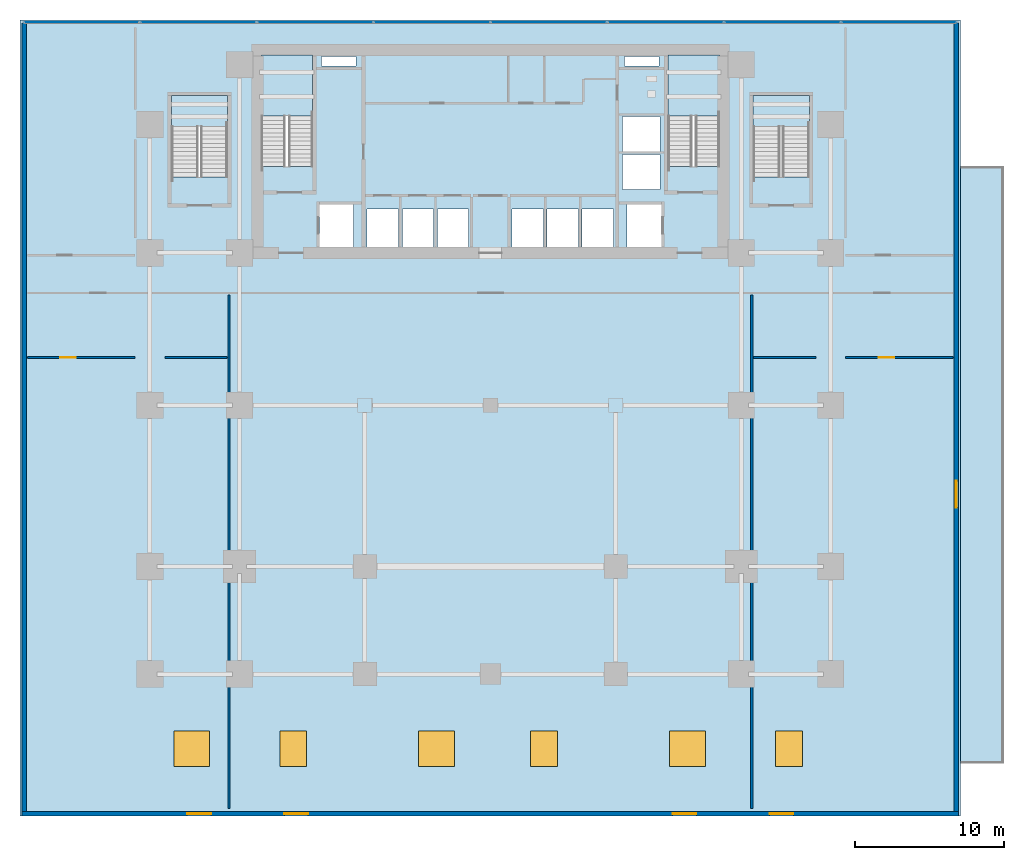
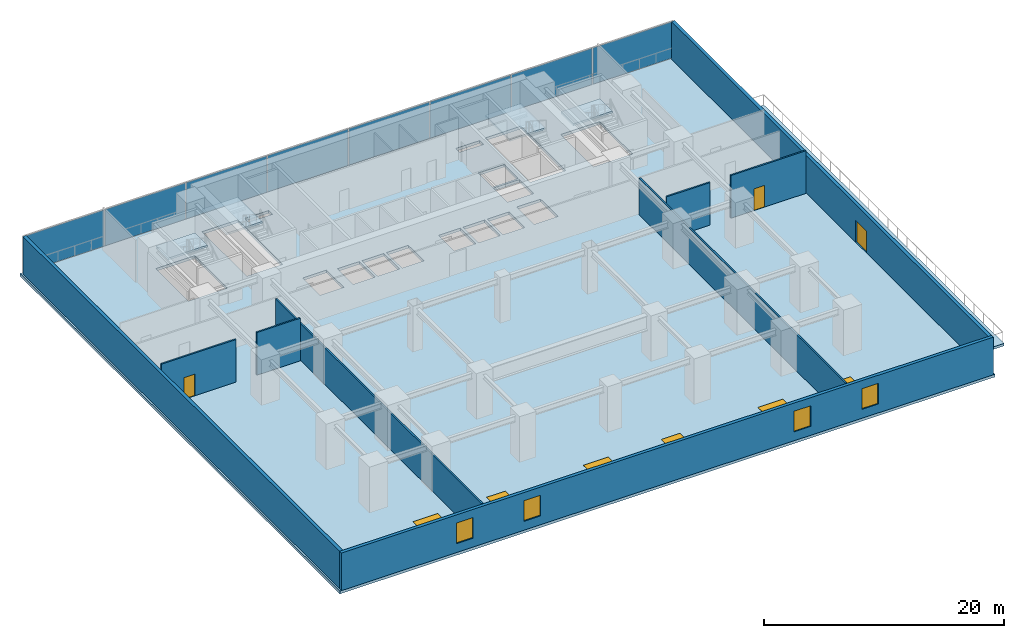
# One storey, part 7 of 15: 10 windows, 9 walls, 8 plates, 6 slabs, 3 doors, 13 openings, 5 elements without a shape of their own.
"""IFC4 building model written with IfcOpenShell, lengths in metres."""

from ifc_helpers import new_model, si_unit, direction, frame, frame_2d, origin, origin_2d, place, context, subcontext, project, spatial, polyline, rectangle, outline, extrude, source, transform, mapped, material, layer, layer_set, type_object, element, fill, aggregate, save


model = new_model("IFC4")

# Units and contexts
model_context = context("Model", 3, precision=1e-05, world=origin(), true_north=direction((0.0, 1.0)))
body_context = subcontext(model_context, "Body", "Model", "MODEL_VIEW")
ifc_project = project(units=[si_unit("LENGTHUNIT", "METRE"), si_unit("AREAUNIT", "SQUARE_METRE"), si_unit("VOLUMEUNIT", "CUBIC_METRE"), si_unit("PLANEANGLEUNIT", "RADIAN"), si_unit("MASSUNIT", "GRAM", prefix="KILO")], contexts=[model_context])

# Site, building, storey
site_placement = place(None, origin())
site = spatial("IfcSite", under=ifc_project, at=site_placement, CompositionType="ELEMENT")
building_placement = place(site_placement, origin())
building = spatial("IfcBuilding", under=site, at=building_placement, Name="Sumidabori Civic Tower", CompositionType="ELEMENT")
storey_placement = place(building_placement, frame((0.0, 0.0, 14.300048828125)))
storey = spatial("IfcBuildingStorey", under=building, at=storey_placement, Name="L03", CompositionType="ELEMENT", Elevation=14.300048828125)

# Stair, slab
ifc_material_1 = material(Name="Concrete C40/50", Category="concrete")
stair_type_1 = type_object("IfcStairType", Name="ST-CORE-1600", PredefinedType="HALF_TURN_STAIR", material=ifc_material_1)
stair_1_placement = place(storey_placement, origin())
stair_1 = element("IfcStair", 1, at=stair_1_placement, inside=storey, type_object=stair_type_1, Name="L03 ST-1", PredefinedType="HALF_TURN_STAIR")
ifc_layer_1 = layer(ifc_material_1, 0.199951171875, Name="Concrete C40/50")
ifc_layer_set_1 = layer_set([ifc_layer_1], Name="Concrete C40/50")
slab_type_1 = type_object("IfcSlabType", Name="SL-LAND-200", PredefinedType="LANDING", material=ifc_layer_set_1)
slab_1_placement = place(storey_placement, frame((0.0, 0.0, 2.125)))
slab_1 = element("IfcSlab", 2, at=slab_1_placement, type_object=slab_type_1, Name="ST-1 landing 1", PredefinedType="LANDING", context=body_context, shape_type="SweptSolid", body=[
    extrude(outline(polyline([(-11.89990234375, 19.360107421875), (-11.89990234375, 23.449951171875), (-15.340087890625, 23.449951171875), (-15.340087890625, 19.360107421875), (-11.89990234375, 19.360107421875)])), origin(), (0.0, 0.0, 1.0), 0.199951171875),
])
aggregate(stair_1, [slab_1])

stair_2_placement = place(storey_placement, origin())
stair_2 = element("IfcStair", 3, at=stair_2_placement, inside=storey, type_object=stair_type_1, Name="L03 ST-2", PredefinedType="HALF_TURN_STAIR")
slab_2_placement = place(storey_placement, frame((0.0, 0.0, 2.125)))
slab_2 = element("IfcSlab", 4, at=slab_2_placement, type_object=slab_type_1, Name="ST-2 landing 1", PredefinedType="LANDING", context=body_context, shape_type="SweptSolid", body=[
    extrude(outline(polyline([(15.340087890625, 19.360107421875), (15.340087890625, 23.449951171875), (11.89990234375, 23.449951171875), (11.89990234375, 19.360107421875), (15.340087890625, 19.360107421875)])), origin(), (0.0, 0.0, 1.0), 0.199951171875),
])
aggregate(stair_2, [slab_2])

stair_type_2 = type_object("IfcStairType", Name="ST-POD-1800", PredefinedType="HALF_TURN_STAIR", material=ifc_material_1)
stair_3_placement = place(storey_placement, origin())
stair_3 = element("IfcStair", 5, at=stair_3_placement, inside=storey, type_object=stair_type_2, Name="L03 ST-3", PredefinedType="HALF_TURN_STAIR")
slab_3_placement = place(storey_placement, frame((0.0, 0.0, 2.125)))
slab_3 = element("IfcSlab", 6, at=slab_3_placement, type_object=slab_type_1, Name="ST-3 landing 1", PredefinedType="LANDING", context=body_context, shape_type="SweptSolid", body=[
    extrude(outline(polyline([(-17.60009765625, 18.659912109375), (-17.60009765625, 20.739990234375), (-21.360107421875, 20.739990234375), (-21.360107421875, 18.659912109375), (-17.60009765625, 18.659912109375)])), origin(), (0.0, 0.0, 1.0), 0.199951171875),
])
aggregate(stair_3, [slab_3])

stair_4_placement = place(storey_placement, origin())
stair_4 = element("IfcStair", 7, at=stair_4_placement, inside=storey, type_object=stair_type_2, Name="L03 ST-4", PredefinedType="HALF_TURN_STAIR")
slab_4_placement = place(storey_placement, frame((0.0, 0.0, 2.125)))
slab_4 = element("IfcSlab", 8, at=slab_4_placement, type_object=slab_type_1, Name="ST-4 landing 1", PredefinedType="LANDING", context=body_context, shape_type="SweptSolid", body=[
    extrude(outline(polyline([(21.360107421875, 18.659912109375), (21.360107421875, 20.739990234375), (17.60009765625, 20.739990234375), (17.60009765625, 18.659912109375), (21.360107421875, 18.659912109375)])), origin(), (0.0, 0.0, 1.0), 0.199951171875),
])
aggregate(stair_4, [slab_4])

# Slab, openings, windows
ifc_layer_2 = layer(ifc_material_1, 0.280029296875, Name="Concrete C40/50")
ifc_layer_set_2 = layer_set([ifc_layer_2], Name="Concrete C40/50")
slab_type_2 = type_object("IfcSlabType", Name="SL-POD-280", PredefinedType="FLOOR", material=ifc_layer_set_2)
slab_5_placement = place(storey_placement, frame((0.0, 0.0, -0.280029296875)))
slab_5 = element("IfcSlab", 9, at=slab_5_placement, inside=storey, type_object=slab_type_2, Name="Structural Slab L03", PredefinedType="FLOOR", context=body_context, shape_type="SweptSolid", body=[
    extrude(outline(polyline([(-31.5, -27.5), (31.5, -27.5), (31.5, 25.800048828125), (-31.5, 25.800048828125), (-31.5, -27.5)]), holes=[polyline([(-11.89990234375, 16.0), (-11.89990234375, 23.449951171875), (-15.340087890625, 23.449951171875), (-15.340087890625, 16.0), (-11.89990234375, 16.0)]), polyline([(15.340087890625, 16.0), (15.340087890625, 23.449951171875), (11.89990234375, 23.449951171875), (11.89990234375, 16.0), (15.340087890625, 16.0)]), polyline([(-17.60009765625, 15.300048828125), (-17.60009765625, 20.739990234375), (-21.360107421875, 20.739990234375), (-21.360107421875, 15.300048828125), (-17.60009765625, 15.300048828125)]), polyline([(21.360107421875, 15.300048828125), (21.360107421875, 20.739990234375), (17.60009765625, 20.739990234375), (17.60009765625, 15.300048828125), (21.360107421875, 15.300048828125)]), polyline([(-11.449951171875, 10.550048828125), (-9.14990234375, 10.550048828125), (-9.14990234375, 13.449951171875), (-11.449951171875, 13.449951171875), (-11.449951171875, 10.550048828125)]), polyline([(9.14990234375, 10.550048828125), (11.449951171875, 10.550048828125), (11.449951171875, 13.449951171875), (9.14990234375, 13.449951171875), (9.14990234375, 10.550048828125)]), polyline([(-8.25, 10.550048828125), (-6.14990234375, 10.550048828125), (-6.14990234375, 13.14990234375), (-8.25, 13.14990234375), (-8.25, 10.550048828125)]), polyline([(-5.89990234375, 10.550048828125), (-3.800048828125, 10.550048828125), (-3.800048828125, 13.14990234375), (-5.89990234375, 13.14990234375), (-5.89990234375, 10.550048828125)]), polyline([(-3.550048828125, 10.550048828125), (-1.449951171875, 10.550048828125), (-1.449951171875, 13.14990234375), (-3.550048828125, 13.14990234375), (-3.550048828125, 10.550048828125)]), polyline([(1.449951171875, 10.550048828125), (3.550048828125, 10.550048828125), (3.550048828125, 13.14990234375), (1.449951171875, 13.14990234375), (1.449951171875, 10.550048828125)]), polyline([(3.800048828125, 10.550048828125), (5.89990234375, 10.550048828125), (5.89990234375, 13.14990234375), (3.800048828125, 13.14990234375), (3.800048828125, 10.550048828125)]), polyline([(6.14990234375, 10.550048828125), (8.25, 10.550048828125), (8.25, 13.14990234375), (6.14990234375, 13.14990234375), (6.14990234375, 10.550048828125)]), polyline([(8.85009765625, 14.449951171875), (11.35009765625, 14.449951171875), (11.35009765625, 16.800048828125), (8.85009765625, 16.800048828125), (8.85009765625, 14.449951171875)]), polyline([(8.85009765625, 17.0), (11.35009765625, 17.0), (11.35009765625, 19.35009765625), (8.85009765625, 19.35009765625), (8.85009765625, 17.0)]), polyline([(-11.300048828125, 22.719970703125), (-9.0, 22.719970703125), (-9.0, 23.35009765625), (-11.300048828125, 23.35009765625), (-11.300048828125, 22.719970703125)]), polyline([(9.0, 22.719970703125), (11.300048828125, 22.719970703125), (11.300048828125, 23.35009765625), (9.0, 23.35009765625), (9.0, 22.719970703125)])]), origin(), (0.0, 0.0, 1.0), 0.280029296875),
])
opening_1_placement = place(slab_5_placement, frame((-20.0, -23.0, -0.011962890625)))
opening_1 = element("IfcOpeningElement", 10, at=opening_1_placement, cuts=slab_5, Name="Opening SK-1", PredefinedType="OPENING", context=body_context, shape_type="SweptSolid", body=[
    extrude(rectangle(XDim=2.39990234375, YDim=2.39990234375, at=origin_2d()), origin(), (0.0, 0.0, 1.0), 0.303955078125),
])
opening_2_placement = place(slab_5_placement, frame((-13.199951171875, -23.0, -0.011962890625)))
opening_2 = element("IfcOpeningElement", 11, at=opening_2_placement, cuts=slab_5, Name="Opening SK-2", PredefinedType="OPENING", context=body_context, shape_type="SweptSolid", body=[
    extrude(rectangle(XDim=1.800048828125, YDim=2.39990234375, at=origin_2d()), origin(), (0.0, 0.0, 1.0), 0.303955078125),
])
opening_3_placement = place(slab_5_placement, frame((-3.60009765625, -23.0, -0.011962890625)))
opening_3 = element("IfcOpeningElement", 12, at=opening_3_placement, cuts=slab_5, Name="Opening SK-1", PredefinedType="OPENING", context=body_context, shape_type="SweptSolid", body=[
    extrude(rectangle(XDim=2.39990234375, YDim=2.39990234375, at=origin_2d()), origin(), (0.0, 0.0, 1.0), 0.303955078125),
])
opening_4_placement = place(slab_5_placement, frame((3.60009765625, -23.0, -0.011962890625)))
opening_4 = element("IfcOpeningElement", 13, at=opening_4_placement, cuts=slab_5, Name="Opening SK-2", PredefinedType="OPENING", context=body_context, shape_type="SweptSolid", body=[
    extrude(rectangle(XDim=1.800048828125, YDim=2.39990234375, at=origin_2d()), origin(), (0.0, 0.0, 1.0), 0.303955078125),
])
opening_5_placement = place(slab_5_placement, frame((13.199951171875, -23.0, -0.011962890625)))
opening_5 = element("IfcOpeningElement", 14, at=opening_5_placement, cuts=slab_5, Name="Opening SK-1", PredefinedType="OPENING", context=body_context, shape_type="SweptSolid", body=[
    extrude(rectangle(XDim=2.39990234375, YDim=2.39990234375, at=origin_2d()), origin(), (0.0, 0.0, 1.0), 0.303955078125),
])
opening_6_placement = place(slab_5_placement, frame((20.0, -23.0, -0.011962890625)))
opening_6 = element("IfcOpeningElement", 15, at=opening_6_placement, cuts=slab_5, Name="Opening SK-2", PredefinedType="OPENING", context=body_context, shape_type="SweptSolid", body=[
    extrude(rectangle(XDim=1.800048828125, YDim=2.39990234375, at=origin_2d()), origin(), (0.0, 0.0, 1.0), 0.303955078125),
])
ifc_material_2 = material(Name="Low-E Vision Double Glazing", Category="glass")
window_type_1 = type_object("IfcWindowType", Name="WN-SKY-1800", PartitioningType="SINGLE_PANEL", PredefinedType="SKYLIGHT", material=ifc_material_2)
window_1_placement = place(opening_2_placement, frame((0.0, 0.0, 0.241943359375)))
window_1 = element("IfcWindow", 16, at=window_1_placement, inside=storey, type_object=window_type_1, Name="Podium Roof Skylight SK-2", OverallHeight=2.39990234375, OverallWidth=1.800048828125, PartitioningType="SINGLE_PANEL", PredefinedType="SKYLIGHT", context=body_context, shape_type="SweptSolid", body=[
    extrude(rectangle(XDim=1.800048828125, YDim=2.39990234375, at=origin_2d()), origin(), (0.0, 0.0, 1.0), 0.050048828125),
])
fill(opening_2, window_1)
window_2_placement = place(opening_4_placement, frame((0.0, 0.0, 0.241943359375)))
window_2 = element("IfcWindow", 17, at=window_2_placement, inside=storey, type_object=window_type_1, Name="Podium Roof Skylight SK-4", OverallHeight=2.39990234375, OverallWidth=1.800048828125, PartitioningType="SINGLE_PANEL", PredefinedType="SKYLIGHT", context=body_context, shape_type="SweptSolid", body=[
    extrude(rectangle(XDim=1.800048828125, YDim=2.39990234375, at=origin_2d()), origin(), (0.0, 0.0, 1.0), 0.050048828125),
])
fill(opening_4, window_2)
window_3_placement = place(opening_6_placement, frame((0.0, 0.0, 0.241943359375)))
window_3 = element("IfcWindow", 18, at=window_3_placement, inside=storey, type_object=window_type_1, Name="Podium Roof Skylight SK-6", OverallHeight=2.39990234375, OverallWidth=1.800048828125, PartitioningType="SINGLE_PANEL", PredefinedType="SKYLIGHT", context=body_context, shape_type="SweptSolid", body=[
    extrude(rectangle(XDim=1.800048828125, YDim=2.39990234375, at=origin_2d()), origin(), (0.0, 0.0, 1.0), 0.050048828125),
])
fill(opening_6, window_3)
window_type_2 = type_object("IfcWindowType", Name="WN-SKY-2400", PartitioningType="SINGLE_PANEL", PredefinedType="SKYLIGHT", material=ifc_material_2)
window_4_placement = place(opening_1_placement, frame((0.0, 0.0, 0.241943359375)))
window_4 = element("IfcWindow", 19, at=window_4_placement, inside=storey, type_object=window_type_2, Name="Podium Roof Skylight SK-1", OverallHeight=2.39990234375, OverallWidth=2.39990234375, PartitioningType="SINGLE_PANEL", PredefinedType="SKYLIGHT", context=body_context, shape_type="SweptSolid", body=[
    extrude(rectangle(XDim=2.39990234375, YDim=2.39990234375, at=origin_2d()), origin(), (0.0, 0.0, 1.0), 0.050048828125),
])
fill(opening_1, window_4)
window_5_placement = place(opening_3_placement, frame((0.0, 0.0, 0.241943359375)))
window_5 = element("IfcWindow", 20, at=window_5_placement, inside=storey, type_object=window_type_2, Name="Podium Roof Skylight SK-3", OverallHeight=2.39990234375, OverallWidth=2.39990234375, PartitioningType="SINGLE_PANEL", PredefinedType="SKYLIGHT", context=body_context, shape_type="SweptSolid", body=[
    extrude(rectangle(XDim=2.39990234375, YDim=2.39990234375, at=origin_2d()), origin(), (0.0, 0.0, 1.0), 0.050048828125),
])
fill(opening_3, window_5)
window_6_placement = place(opening_5_placement, frame((0.0, 0.0, 0.241943359375)))
window_6 = element("IfcWindow", 21, at=window_6_placement, inside=storey, type_object=window_type_2, Name="Podium Roof Skylight SK-5", OverallHeight=2.39990234375, OverallWidth=2.39990234375, PartitioningType="SINGLE_PANEL", PredefinedType="SKYLIGHT", context=body_context, shape_type="SweptSolid", body=[
    extrude(rectangle(XDim=2.39990234375, YDim=2.39990234375, at=origin_2d()), origin(), (0.0, 0.0, 1.0), 0.050048828125),
])
fill(opening_5, window_6)

# Slab
ifc_layer_3 = layer(ifc_material_1, 0.25, Name="Concrete C40/50")
ifc_layer_set_3 = layer_set([ifc_layer_3], Name="Concrete C40/50")
slab_type_3 = type_object("IfcSlabType", Name="SL-TER-250", PredefinedType="FLOOR", material=ifc_layer_set_3)
slab_6_placement = place(storey_placement, frame((0.0, 0.0, -0.25)))
element("IfcSlab", 22, at=slab_6_placement, inside=storey, type_object=slab_type_3, Name="Planted Podium Roof Terrace TER-L03-E", PredefinedType="FLOOR", context=body_context, shape_type="SweptSolid", body=[
    extrude(outline(polyline([(31.5, -24.0), (34.39990234375, -24.0), (34.39990234375, 16.0), (31.5, 16.0), (31.5, -24.0)])), origin(), (0.0, 0.0, 1.0), 0.25),
])

# Curtain wall, plates
ifc_material_3 = material(Name="Anodised Bronze Aluminium AW-6063-T6", Category="aluminium")
ifc_layer_4 = layer(ifc_material_3, 0.179931640625, Name="Anodised Bronze Aluminium AW-6063-T6")
ifc_layer_set_4 = layer_set([ifc_layer_4], Name="Anodised Bronze Aluminium AW-6063-T6")
curtain_wall_type = type_object("IfcCurtainWallType", Name="CW-SYS-1", PredefinedType="NOTDEFINED", material=ifc_layer_set_4)
curtain_wall_placement = place(storey_placement, origin())
curtain_wall = element("IfcCurtainWall", 23, at=curtain_wall_placement, inside=storey, type_object=curtain_wall_type, Name="Curtain Wall CW:L03:NORTH", PredefinedType="NOTDEFINED")
ifc_layer_5 = layer(ifc_material_2, 0.031982421875, Name="Low-E Vision Double Glazing")
ifc_layer_set_5 = layer_set([ifc_layer_5], Name="Low-E Vision Double Glazing")
plate_type = type_object("IfcPlateType", Name="CW-PNL-32", PredefinedType="CURTAIN_PANEL", material=ifc_layer_set_5)
shared_shape_1 = source(origin(), body_context, "Body", "SweptSolid", [
    extrude(rectangle(XDim=7.719970703125, YDim=0.031982421875, at=origin_2d()), origin(), (0.0, 0.0, 1.0), 3.699951171875),
])
plate_1_placement = place(storey_placement, frame((-27.3701171875, 25.64990234375, 0.06494140625), z_axis=(0.0, 0.0, 1.0), x_axis=(1.0, 0.0, 0.0)))
plate_1 = element("IfcPlate", 24, at=plate_1_placement, type_object=plate_type, Name="CW-1 panel 1.1", PredefinedType="CURTAIN_PANEL", context=body_context, shape_type="MappedRepresentation", body=[
    mapped(shared_shape_1, transform((0.0, 0.0, 0.0), x_axis=(1.0, 0.0, 0.0), y_axis=(0.0, 1.0, 0.0), z_axis=(0.0, 0.0, 1.0), scale=1.0)),
])
plate_2_placement = place(storey_placement, frame((27.3701171875, 25.64990234375, 0.06494140625), z_axis=(0.0, 0.0, 1.0), x_axis=(1.0, 0.0, 0.0)))
plate_2 = element("IfcPlate", 25, at=plate_2_placement, type_object=plate_type, Name="CW-1 panel 8.1", PredefinedType="CURTAIN_PANEL", context=body_context, shape_type="MappedRepresentation", body=[
    mapped(shared_shape_1, transform((0.0, 0.0, 0.0), x_axis=(1.0, 0.0, 0.0), y_axis=(0.0, 1.0, 0.0), z_axis=(0.0, 0.0, 1.0), scale=1.0)),
])
shared_shape_2 = source(origin(), body_context, "Body", "SweptSolid", [
    extrude(rectangle(XDim=7.7548828125, YDim=0.031982421875, at=origin_2d()), origin(), (0.0, 0.0, 1.0), 3.699951171875),
])
plate_3_placement = place(storey_placement, frame((-19.5625, 25.64990234375, 0.06494140625), z_axis=(0.0, 0.0, 1.0), x_axis=(1.0, 0.0, 0.0)))
plate_3 = element("IfcPlate", 26, at=plate_3_placement, type_object=plate_type, Name="CW-1 panel 2.1", PredefinedType="CURTAIN_PANEL", context=body_context, shape_type="MappedRepresentation", body=[
    mapped(shared_shape_2, transform((0.0, 0.0, 0.0), x_axis=(1.0, 0.0, 0.0), y_axis=(0.0, 1.0, 0.0), z_axis=(0.0, 0.0, 1.0), scale=1.0)),
])
plate_4_placement = place(storey_placement, frame((-11.737548828125, 25.64990234375, 0.06494140625), z_axis=(0.0, 0.0, 1.0), x_axis=(1.0, 0.0, 0.0)))
plate_4 = element("IfcPlate", 27, at=plate_4_placement, type_object=plate_type, Name="CW-1 panel 3.1", PredefinedType="CURTAIN_PANEL", context=body_context, shape_type="MappedRepresentation", body=[
    mapped(shared_shape_2, transform((0.0, 0.0, 0.0), x_axis=(1.0, 0.0, 0.0), y_axis=(0.0, 1.0, 0.0), z_axis=(0.0, 0.0, 1.0), scale=1.0)),
])
plate_5_placement = place(storey_placement, frame((-3.91259765625, 25.64990234375, 0.06494140625), z_axis=(0.0, 0.0, 1.0), x_axis=(1.0, 0.0, 0.0)))
plate_5 = element("IfcPlate", 28, at=plate_5_placement, type_object=plate_type, Name="CW-1 panel 4.1", PredefinedType="CURTAIN_PANEL", context=body_context, shape_type="MappedRepresentation", body=[
    mapped(shared_shape_2, transform((0.0, 0.0, 0.0), x_axis=(1.0, 0.0, 0.0), y_axis=(0.0, 1.0, 0.0), z_axis=(0.0, 0.0, 1.0), scale=1.0)),
])
plate_6_placement = place(storey_placement, frame((3.91259765625, 25.64990234375, 0.06494140625), z_axis=(0.0, 0.0, 1.0), x_axis=(1.0, 0.0, 0.0)))
plate_6 = element("IfcPlate", 29, at=plate_6_placement, type_object=plate_type, Name="CW-1 panel 5.1", PredefinedType="CURTAIN_PANEL", context=body_context, shape_type="MappedRepresentation", body=[
    mapped(shared_shape_2, transform((0.0, 0.0, 0.0), x_axis=(1.0, 0.0, 0.0), y_axis=(0.0, 1.0, 0.0), z_axis=(0.0, 0.0, 1.0), scale=1.0)),
])
plate_7_placement = place(storey_placement, frame((11.737548828125, 25.64990234375, 0.06494140625), z_axis=(0.0, 0.0, 1.0), x_axis=(1.0, 0.0, 0.0)))
plate_7 = element("IfcPlate", 30, at=plate_7_placement, type_object=plate_type, Name="CW-1 panel 6.1", PredefinedType="CURTAIN_PANEL", context=body_context, shape_type="MappedRepresentation", body=[
    mapped(shared_shape_2, transform((0.0, 0.0, 0.0), x_axis=(1.0, 0.0, 0.0), y_axis=(0.0, 1.0, 0.0), z_axis=(0.0, 0.0, 1.0), scale=1.0)),
])
plate_8_placement = place(storey_placement, frame((19.5625, 25.64990234375, 0.06494140625), z_axis=(0.0, 0.0, 1.0), x_axis=(1.0, 0.0, 0.0)))
plate_8 = element("IfcPlate", 31, at=plate_8_placement, type_object=plate_type, Name="CW-1 panel 7.1", PredefinedType="CURTAIN_PANEL", context=body_context, shape_type="MappedRepresentation", body=[
    mapped(shared_shape_2, transform((0.0, 0.0, 0.0), x_axis=(1.0, 0.0, 0.0), y_axis=(0.0, 1.0, 0.0), z_axis=(0.0, 0.0, 1.0), scale=1.0)),
])
aggregate(curtain_wall, [plate_1, plate_3, plate_4, plate_5, plate_6, plate_7, plate_8, plate_2])

# Wall, openings, windows
ifc_material_4 = material(Name="Precast concrete C40/50", Category="concrete")
ifc_layer_6 = layer(ifc_material_4, 0.300048828125, Name="Precast concrete C40/50")
ifc_layer_set_6 = layer_set([ifc_layer_6], Name="Precast concrete C40/50")
wall_type_1 = type_object("IfcWallType", Name="WL-EXT-POD300", PredefinedType="STANDARD", material=ifc_layer_set_6)
shared_shape_3 = source(origin(), body_context, "Body", "SweptSolid", [
    extrude(rectangle(XDim=62.7001953125, YDim=0.300048828125, at=frame_2d((31.35009765625, 0.0))), origin(), (0.0, 0.0, 1.0), 3.829833984375),
])
wall_1_placement = place(storey_placement, frame((31.35009765625, -27.35009765625, 0.0), z_axis=(0.0, 0.0, 1.0), x_axis=(-1.0, 0.0, 0.0)))
wall_1 = element("IfcWall", 32, at=wall_1_placement, inside=storey, type_object=wall_type_1, Name="Podium South Wall L03", PredefinedType="STANDARD", context=body_context, shape_type="MappedRepresentation", body=[
    mapped(shared_shape_3, transform((0.0, 0.0, 0.0), x_axis=(1.0, 0.0, 0.0), y_axis=(0.0, 1.0, 0.0), z_axis=(0.0, 0.0, 1.0), scale=1.0)),
])
opening_7_placement = place(wall_1_placement, frame((11.050048828125, 0.0, 0.89990234375)))
opening_7 = element("IfcOpeningElement", 33, at=opening_7_placement, cuts=wall_1, Name="Opening WN-4", PredefinedType="OPENING", context=body_context, shape_type="SweptSolid", body=[
    extrude(rectangle(XDim=1.60009765625, YDim=2.10009765625, at=frame_2d((0.800048828125, 1.050048828125))), frame((0.0, 0.162109375, 0.0), z_axis=(0.0, -1.0, 0.0), x_axis=(1.0, 0.0, 0.0)), (0.0, 0.0, 1.0), 0.323974609375),
])
opening_8_placement = place(wall_1_placement, frame((17.550048828125, 0.0, 0.89990234375)))
opening_8 = element("IfcOpeningElement", 34, at=opening_8_placement, cuts=wall_1, Name="Opening WN-4", PredefinedType="OPENING", context=body_context, shape_type="SweptSolid", body=[
    extrude(rectangle(XDim=1.60009765625, YDim=2.10009765625, at=frame_2d((0.800048828125, 1.050048828125))), frame((0.0, 0.162109375, 0.0), z_axis=(0.0, -1.0, 0.0), x_axis=(1.0, 0.0, 0.0)), (0.0, 0.0, 1.0), 0.323974609375),
])
opening_9_placement = place(wall_1_placement, frame((43.550048828125, 0.0, 0.89990234375)))
opening_9 = element("IfcOpeningElement", 35, at=opening_9_placement, cuts=wall_1, Name="Opening WN-4", PredefinedType="OPENING", context=body_context, shape_type="SweptSolid", body=[
    extrude(rectangle(XDim=1.60009765625, YDim=2.10009765625, at=frame_2d((0.800048828125, 1.050048828125))), frame((0.0, 0.162109375, 0.0), z_axis=(0.0, -1.0, 0.0), x_axis=(1.0, 0.0, 0.0)), (0.0, 0.0, 1.0), 0.323974609375),
])
opening_10_placement = place(wall_1_placement, frame((50.050048828125, 0.0, 0.89990234375)))
opening_10 = element("IfcOpeningElement", 36, at=opening_10_placement, cuts=wall_1, Name="Opening WN-4", PredefinedType="OPENING", context=body_context, shape_type="SweptSolid", body=[
    extrude(rectangle(XDim=1.60009765625, YDim=2.10009765625, at=frame_2d((0.800048828125, 1.050048828125))), frame((0.0, 0.162109375, 0.0), z_axis=(0.0, -1.0, 0.0), x_axis=(1.0, 0.0, 0.0)), (0.0, 0.0, 1.0), 0.323974609375),
])
window_type_3 = type_object("IfcWindowType", Name="WN-COR-1600", PartitioningType="SINGLE_PANEL", PredefinedType="WINDOW", material=ifc_material_2)
shared_shape_4 = source(origin(), body_context, "Body", "SweptSolid", [
    extrude(rectangle(XDim=1.60009765625, YDim=2.10009765625, at=frame_2d((0.800048828125, 1.050048828125))), frame((0.0, 0.030029296875, 0.0), z_axis=(0.0, -1.0, 0.0), x_axis=(1.0, 0.0, 0.0)), (0.0, 0.0, 1.0), 0.06005859375),
])
window_7_placement = place(opening_7_placement, origin())
window_7 = element("IfcWindow", 37, at=window_7_placement, inside=storey, type_object=window_type_3, Name="Podium Window L03-S1", OverallHeight=2.10009765625, OverallWidth=1.60009765625, PartitioningType="SINGLE_PANEL", PredefinedType="WINDOW", context=body_context, shape_type="MappedRepresentation", body=[
    mapped(shared_shape_4, transform((0.0, 0.0, 0.0), x_axis=(1.0, 0.0, 0.0), y_axis=(0.0, 1.0, 0.0), z_axis=(0.0, 0.0, 1.0), scale=1.0)),
])
fill(opening_7, window_7)
window_8_placement = place(opening_8_placement, origin())
window_8 = element("IfcWindow", 38, at=window_8_placement, inside=storey, type_object=window_type_3, Name="Podium Window L03-S2", OverallHeight=2.10009765625, OverallWidth=1.60009765625, PartitioningType="SINGLE_PANEL", PredefinedType="WINDOW", context=body_context, shape_type="MappedRepresentation", body=[
    mapped(shared_shape_4, transform((0.0, 0.0, 0.0), x_axis=(1.0, 0.0, 0.0), y_axis=(0.0, 1.0, 0.0), z_axis=(0.0, 0.0, 1.0), scale=1.0)),
])
fill(opening_8, window_8)
window_9_placement = place(opening_9_placement, origin())
window_9 = element("IfcWindow", 39, at=window_9_placement, inside=storey, type_object=window_type_3, Name="Podium Window L03-S3", OverallHeight=2.10009765625, OverallWidth=1.60009765625, PartitioningType="SINGLE_PANEL", PredefinedType="WINDOW", context=body_context, shape_type="MappedRepresentation", body=[
    mapped(shared_shape_4, transform((0.0, 0.0, 0.0), x_axis=(1.0, 0.0, 0.0), y_axis=(0.0, 1.0, 0.0), z_axis=(0.0, 0.0, 1.0), scale=1.0)),
])
fill(opening_9, window_9)
window_10_placement = place(opening_10_placement, origin())
window_10 = element("IfcWindow", 40, at=window_10_placement, inside=storey, type_object=window_type_3, Name="Podium Window L03-S4", OverallHeight=2.10009765625, OverallWidth=1.60009765625, PartitioningType="SINGLE_PANEL", PredefinedType="WINDOW", context=body_context, shape_type="MappedRepresentation", body=[
    mapped(shared_shape_4, transform((0.0, 0.0, 0.0), x_axis=(1.0, 0.0, 0.0), y_axis=(0.0, 1.0, 0.0), z_axis=(0.0, 0.0, 1.0), scale=1.0)),
])
fill(opening_10, window_10)

# Wall
shared_shape_5 = source(origin(), body_context, "Body", "SweptSolid", [
    extrude(rectangle(XDim=52.7900390625, YDim=0.300048828125, at=frame_2d((26.39501953125, 0.0))), origin(), (0.0, 0.0, 1.0), 3.829833984375),
])
wall_2_placement = place(storey_placement, frame((-31.199951171875, -27.199951171875, 0.0), z_axis=(0.0, 0.0, 1.0), x_axis=(0.0, 1.0, 0.0)))
element("IfcWall", 41, at=wall_2_placement, inside=storey, type_object=wall_type_1, Name="Podium West Wall L03", PredefinedType="STANDARD", context=body_context, shape_type="MappedRepresentation", body=[
    mapped(shared_shape_5, transform((0.0, 0.0, 0.0), x_axis=(1.0, 0.0, 0.0), y_axis=(0.0, 1.0, 0.0), z_axis=(0.0, 0.0, 1.0), scale=1.0)),
])

# Wall, opening, door
wall_3_placement = place(storey_placement, frame((31.199951171875, 25.590087890625, 0.0), z_axis=(0.0, 0.0, 1.0), x_axis=(0.0, -1.0, 0.0)))
wall_3 = element("IfcWall", 42, at=wall_3_placement, inside=storey, type_object=wall_type_1, Name="Podium East Wall L03", PredefinedType="STANDARD", context=body_context, shape_type="MappedRepresentation", body=[
    mapped(shared_shape_5, transform((0.0, 0.0, 0.0), x_axis=(1.0, 0.0, 0.0), y_axis=(0.0, 1.0, 0.0), z_axis=(0.0, 0.0, 1.0), scale=1.0)),
])
opening_11_placement = place(wall_3_placement, frame((30.64990234375, 0.0, 0.0)))
opening_11 = element("IfcOpeningElement", 43, at=opening_11_placement, cuts=wall_3, Name="Opening DT-1", PredefinedType="OPENING", context=body_context, shape_type="SweptSolid", body=[
    extrude(rectangle(XDim=1.800048828125, YDim=2.199951171875, at=frame_2d((0.89990234375, 1.10009765625))), frame((0.0, 0.162109375, 0.0), z_axis=(0.0, -1.0, 0.0), x_axis=(1.0, 0.0, 0.0)), (0.0, 0.0, 1.0), 0.323974609375),
])
door_type_1 = type_object("IfcDoorType", Name="DR-EXT-TER", OperationType="DOUBLE_DOOR_SINGLE_SWING", PredefinedType="DOOR", material=ifc_material_3)
shared_shape_6 = source(origin(), body_context, "Body", "SweptSolid", [
    extrude(rectangle(XDim=1.800048828125, YDim=2.199951171875, at=frame_2d((0.89990234375, 1.10009765625))), frame((0.0, 0.02490234375, 0.0), z_axis=(0.0, -1.0, 0.0), x_axis=(1.0, 0.0, 0.0)), (0.0, 0.0, 1.0), 0.050048828125),
])
door_1_placement = place(opening_11_placement, origin())
door_1 = element("IfcDoor", 44, at=door_1_placement, inside=storey, type_object=door_type_1, Name="Terrace Access Door TER-L03-E-1", OperationType="DOUBLE_DOOR_SINGLE_SWING", OverallHeight=2.199951171875, OverallWidth=1.800048828125, PredefinedType="DOOR", context=body_context, shape_type="MappedRepresentation", body=[
    mapped(shared_shape_6, transform((0.0, 0.0, 0.0), x_axis=(1.0, 0.0, 0.0), y_axis=(0.0, 1.0, 0.0), z_axis=(0.0, 0.0, 1.0), scale=1.0)),
])
fill(opening_11, door_1)

ifc_material_5 = material(Name="Gypsum Plasterboard Acoustic Partition")
ifc_layer_7 = layer(ifc_material_5, 0.14990234375, Name="Gypsum Plasterboard Acoustic Partition")
ifc_layer_set_7 = layer_set([ifc_layer_7], Name="Gypsum Plasterboard Acoustic Partition")
wall_type_2 = type_object("IfcWallType", Name="WL-PART-150", PredefinedType="PARTITIONING", material=ifc_layer_set_7)
shared_shape_7 = source(origin(), body_context, "Body", "SweptSolid", [
    extrude(rectangle(XDim=7.199951171875, YDim=0.14990234375, at=frame_2d((3.60009765625, 0.0))), origin(), (0.0, 0.0, 1.0), 4.329833984375),
])
wall_4_placement = place(storey_placement, frame((-31.0, 3.199951171875, 0.0), z_axis=(0.0, 0.0, 1.0), x_axis=(1.0, 0.0, 0.0)))
wall_4 = element("IfcWall", 45, at=wall_4_placement, inside=storey, type_object=wall_type_2, Name="Interior Partition WL:L03:SUB-W1", PredefinedType="PARTITIONING", context=body_context, shape_type="MappedRepresentation", body=[
    mapped(shared_shape_7, transform((0.0, 0.0, 0.0), x_axis=(1.0, 0.0, 0.0), y_axis=(0.0, 1.0, 0.0), z_axis=(0.0, 0.0, 1.0), scale=1.0)),
])
opening_12_placement = place(wall_4_placement, frame((2.199951171875, 0.0, 0.0)))
opening_12 = element("IfcOpeningElement", 46, at=opening_12_placement, cuts=wall_4, Name="Opening DR-4", PredefinedType="OPENING", context=body_context, shape_type="SweptSolid", body=[
    extrude(rectangle(XDim=1.0400390625, YDim=2.199951171875, at=frame_2d((0.52001953125, 1.10009765625))), frame((0.0, 0.0869140625, 0.0), z_axis=(0.0, -1.0, 0.0), x_axis=(1.0, 0.0, 0.0)), (0.0, 0.0, 1.0), 0.173828125),
])
ifc_material_6 = material(Name="Japanese Hinoki Timber", Category="wood")
door_type_2 = type_object("IfcDoorType", Name="DR-INT-1040", OperationType="NOTDEFINED", PredefinedType="DOOR", material=ifc_material_6)
shared_shape_8 = source(origin(), body_context, "Body", "SweptSolid", [
    extrude(rectangle(XDim=1.0400390625, YDim=2.199951171875, at=frame_2d((0.52001953125, 1.10009765625))), frame((0.0, 0.02490234375, 0.0), z_axis=(0.0, -1.0, 0.0), x_axis=(1.0, 0.0, 0.0)), (0.0, 0.0, 1.0), 0.050048828125),
])
door_2_placement = place(opening_12_placement, origin())
door_2 = element("IfcDoor", 47, at=door_2_placement, inside=storey, type_object=door_type_2, Name="Door DR:L03:PD-SW", OperationType="SINGLE_SWING_LEFT", OverallHeight=2.199951171875, OverallWidth=1.0400390625, PredefinedType="DOOR", context=body_context, shape_type="MappedRepresentation", body=[
    mapped(shared_shape_8, transform((0.0, 0.0, 0.0), x_axis=(1.0, 0.0, 0.0), y_axis=(0.0, 1.0, 0.0), z_axis=(0.0, 0.0, 1.0), scale=1.0)),
])
fill(opening_12, door_2)

wall_5_placement = place(storey_placement, frame((23.800048828125, 3.199951171875, 0.0), z_axis=(0.0, 0.0, 1.0), x_axis=(1.0, 0.0, 0.0)))
wall_5 = element("IfcWall", 48, at=wall_5_placement, inside=storey, type_object=wall_type_2, Name="Interior Partition WL:L03:SUB-E2", PredefinedType="PARTITIONING", context=body_context, shape_type="MappedRepresentation", body=[
    mapped(shared_shape_7, transform((0.0, 0.0, 0.0), x_axis=(1.0, 0.0, 0.0), y_axis=(0.0, 1.0, 0.0), z_axis=(0.0, 0.0, 1.0), scale=1.0)),
])
opening_13_placement = place(wall_5_placement, frame((2.199951171875, 0.0, 0.0)))
opening_13 = element("IfcOpeningElement", 49, at=opening_13_placement, cuts=wall_5, Name="Opening DR-4", PredefinedType="OPENING", context=body_context, shape_type="SweptSolid", body=[
    extrude(rectangle(XDim=1.0400390625, YDim=2.199951171875, at=frame_2d((0.52001953125, 1.10009765625))), frame((0.0, 0.0869140625, 0.0), z_axis=(0.0, -1.0, 0.0), x_axis=(1.0, 0.0, 0.0)), (0.0, 0.0, 1.0), 0.173828125),
])
door_3_placement = place(opening_13_placement, origin())
door_3 = element("IfcDoor", 50, at=door_3_placement, inside=storey, type_object=door_type_2, Name="Door DR:L03:PD-SE", OperationType="SINGLE_SWING_RIGHT", OverallHeight=2.199951171875, OverallWidth=1.0400390625, PredefinedType="DOOR", context=body_context, shape_type="MappedRepresentation", body=[
    mapped(shared_shape_8, transform((0.0, 0.0, 0.0), x_axis=(1.0, 0.0, 0.0), y_axis=(0.0, 1.0, 0.0), z_axis=(0.0, 0.0, 1.0), scale=1.0)),
])
fill(opening_13, door_3)

# Walls
shared_shape_9 = source(origin(), body_context, "Body", "SweptSolid", [
    extrude(rectangle(XDim=34.3798828125, YDim=0.14990234375, at=frame_2d((17.18994140625, 0.0))), origin(), (0.0, 0.0, 1.0), 3.71484375),
])
for number, where, z_axis, x_axis, name in (
    (51, (-17.5, -27.0, 0.0), (0.0, 0.0, 1.0), (0.0, 1.0, 0.0), "Interior Partition WL:L03:DIV-W"),
    (52, (17.5, -27.0, 0.0), (0.0, 0.0, 1.0), (0.0, 1.0, 0.0), "Interior Partition WL:L03:DIV-E"),
):
    element("IfcWall", number, at=place(storey_placement, frame(where, z_axis=z_axis, x_axis=x_axis)), inside=storey, type_object=wall_type_2, Name=name, PredefinedType="PARTITIONING", context=body_context, shape_type="MappedRepresentation", body=[
        mapped(shared_shape_9, transform((0.0, 0.0, 0.0), x_axis=(1.0, 0.0, 0.0), y_axis=(0.0, 1.0, 0.0), z_axis=(0.0, 0.0, 1.0), scale=1.0)),
    ])
shared_shape_10 = source(origin(), body_context, "Body", "SweptSolid", [
    extrude(rectangle(XDim=4.179931640625, YDim=0.14990234375, at=frame_2d((2.08984375, 0.0))), origin(), (0.0, 0.0, 1.0), 4.329833984375),
])
for number, where, z_axis, x_axis, name in (
    (53, (-21.800048828125, 3.199951171875, 0.0), (0.0, 0.0, 1.0), (1.0, 0.0, 0.0), "Interior Partition WL:L03:SUB-W2"),
    (54, (17.6201171875, 3.199951171875, 0.0), (0.0, 0.0, 1.0), (1.0, 0.0, 0.0), "Interior Partition WL:L03:SUB-E1"),
):
    element("IfcWall", number, at=place(storey_placement, frame(where, z_axis=z_axis, x_axis=x_axis)), inside=storey, type_object=wall_type_2, Name=name, PredefinedType="PARTITIONING", context=body_context, shape_type="MappedRepresentation", body=[
        mapped(shared_shape_10, transform((0.0, 0.0, 0.0), x_axis=(1.0, 0.0, 0.0), y_axis=(0.0, 1.0, 0.0), z_axis=(0.0, 0.0, 1.0), scale=1.0)),
    ])

save(model, "model.ifc")
